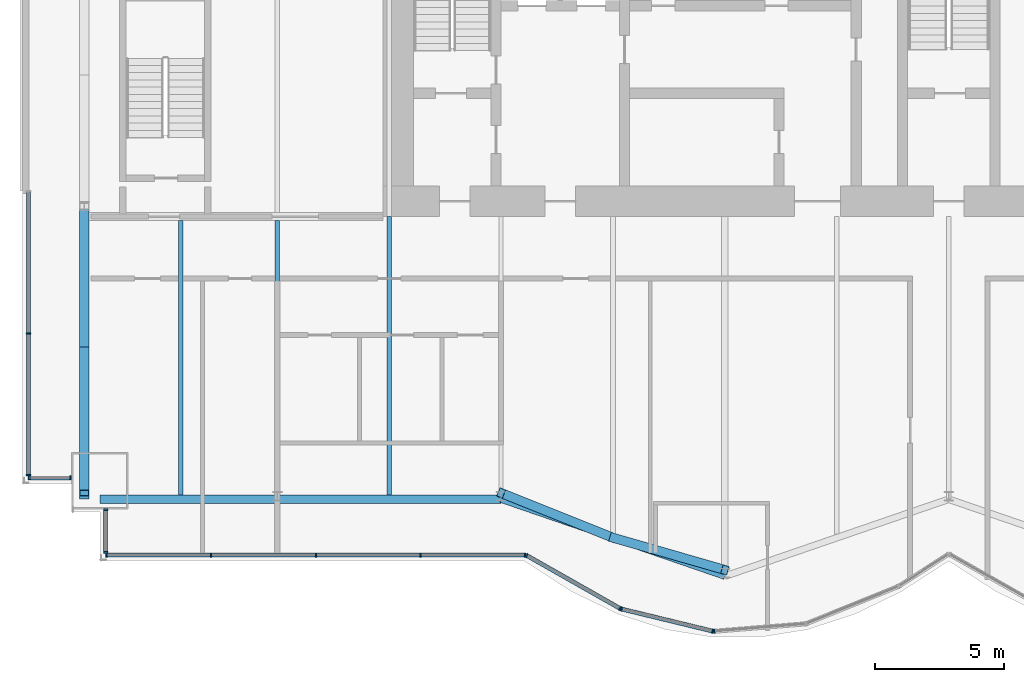
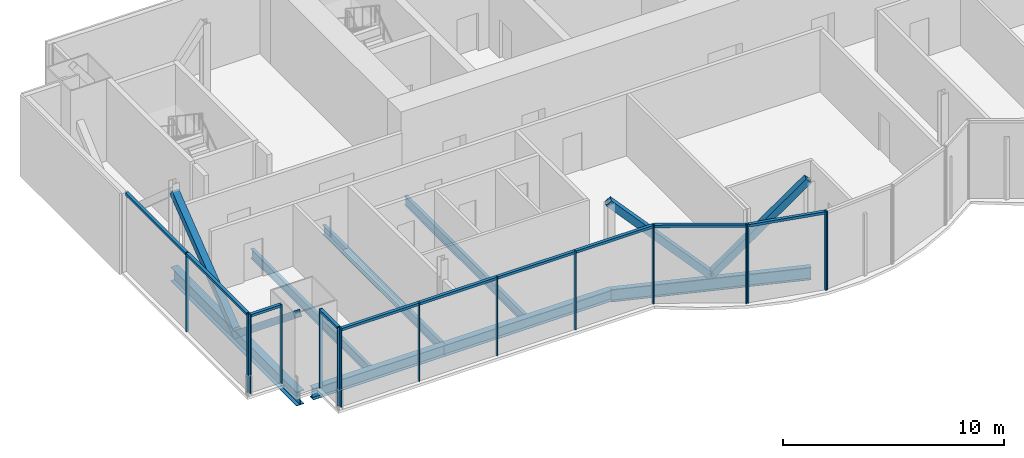
# One storey, part 5 of 18: 30 members, 7 beams, 5 elements without a shape of their own.
"""IFC4 building model written with IfcOpenShell, lengths in metres."""

from ifc_helpers import new_model, si_unit, direction, frame, origin, origin_2d, place, context, subcontext, project, spatial, rectangle, hollow_rectangle, i_section, extrude, material, material_profile, profile_set, type_object, element, aggregate, save


model = new_model("IFC4")

# Units and contexts
model_context = context("Model", 3, precision=1e-05, world=origin(), true_north=direction((0.0, 1.0)))
body_context = subcontext(model_context, "Body", "Model", "MODEL_VIEW")
ifc_project = project(units=[si_unit("LENGTHUNIT", "METRE"), si_unit("AREAUNIT", "SQUARE_METRE"), si_unit("VOLUMEUNIT", "CUBIC_METRE"), si_unit("PLANEANGLEUNIT", "RADIAN"), si_unit("MASSUNIT", "GRAM", prefix="KILO")], contexts=[model_context])

# Site, building, storey
site_placement = place(None, origin())
site = spatial("IfcSite", under=ifc_project, at=site_placement, CompositionType="ELEMENT")
building_placement = place(site_placement, origin())
building = spatial("IfcBuilding", under=site, at=building_placement, Name="Bicima Exchange Tower", CompositionType="ELEMENT")
storey_placement = place(building_placement, frame((0.0, 0.0, 311.0)))
storey = spatial("IfcBuildingStorey", under=building, at=storey_placement, Name="L70", CompositionType="ELEMENT", Elevation=311.0)

# Curtain wall, members
ifc_material_1 = material(Name="Anodised bronze aluminium", Category="aluminium")
curtain_wall_type_1 = type_object("IfcCurtainWallType", Name="End face glass wall", PredefinedType="NOTDEFINED", material=ifc_material_1)
curtain_wall_1_placement = place(storey_placement, origin())
curtain_wall_1 = element("IfcCurtainWall", 1, at=curtain_wall_1_placement, inside=storey, type_object=curtain_wall_type_1, Name="End face glass wall L70 run 2", PredefinedType="NOTDEFINED")
ifc_material_profile_1 = material_profile(ifc_material_1, rectangle(XDim=0.159912109375, YDim=0.06005859375, at=origin_2d()))
ifc_profile_set_1 = profile_set([ifc_material_profile_1], Name="Anodised bronze aluminium")
member_type_1 = type_object("IfcMemberType", Name="End face glass wall mullion 60 x 160", PredefinedType="MULLION", material=ifc_profile_set_1)
member_1_placement = place(storey_placement, frame((-35.77001953125, -17.537109375, 0.0), z_axis=(0.0, 0.0, 1.0), x_axis=(1.0, 0.0, 0.0)))
member_1 = element("IfcMember", 2, at=member_1_placement, type_object=member_type_1, Name="End face glass wall mullion 2", PredefinedType="MULLION", context=body_context, shape_type="SweptSolid", body=[
    extrude(rectangle(XDim=0.159912109375, YDim=0.06005859375, at=origin_2d()), origin(), (0.0, 0.0, 1.0), 4.35009765625),
])
member_2_placement = place(storey_placement, frame((-35.77001953125, -23.0439453125, 0.0), z_axis=(0.0, 0.0, 1.0), x_axis=(1.0, 0.0, 0.0)))
member_2 = element("IfcMember", 3, at=member_2_placement, type_object=member_type_1, Name="End face glass wall mullion 3", PredefinedType="MULLION", context=body_context, shape_type="SweptSolid", body=[
    extrude(rectangle(XDim=0.159912109375, YDim=0.06005859375, at=origin_2d()), origin(), (0.0, 0.0, 1.0), 4.35009765625),
])
ifc_material_profile_2 = material_profile(ifc_material_1, rectangle(XDim=0.159912109375, YDim=0.139892578125, at=origin_2d()))
ifc_profile_set_2 = profile_set([ifc_material_profile_2], Name="Anodised bronze aluminium")
member_type_2 = type_object("IfcMemberType", Name="End face glass wall transom 140 x 160", PredefinedType="USERDEFINED", material=ifc_profile_set_2)
member_3_placement = place(storey_placement, frame((-35.77001953125, -12.06005859375, 4.280029296875), z_axis=(0.0, -1.0, 0.0), x_axis=(1.0, 0.0, 0.0)))
member_3 = element("IfcMember", 4, at=member_3_placement, type_object=member_type_2, Name="End face glass wall transom 1.1", ObjectType="TRANSOM", PredefinedType="USERDEFINED", context=body_context, shape_type="SweptSolid", body=[
    extrude(rectangle(XDim=0.159912109375, YDim=0.139892578125, at=origin_2d()), origin(), (0.0, 0.0, 1.0), 5.447021484375),
])
member_4_placement = place(storey_placement, frame((-35.77001953125, -17.56689453125, 4.280029296875), z_axis=(0.0, -1.0, 0.0), x_axis=(1.0, 0.0, 0.0)))
member_4 = element("IfcMember", 5, at=member_4_placement, type_object=member_type_2, Name="End face glass wall transom 2.1", ObjectType="TRANSOM", PredefinedType="USERDEFINED", context=body_context, shape_type="SweptSolid", body=[
    extrude(rectangle(XDim=0.159912109375, YDim=0.139892578125, at=origin_2d()), origin(), (0.0, 0.0, 1.0), 5.447021484375),
])
aggregate(curtain_wall_1, [member_1, member_2, member_3, member_4])

# Beams
ifc_material_2 = material(Name="Steel ASTM A992 Gr 50", Category="steel")
ifc_material_profile_3 = material_profile(ifc_material_2, i_section(OverallWidth=0.381103515625, OverallDepth=0.772216796875, WebThickness=0.0166015625, FlangeThickness=0.027099609375, at=origin_2d()))
ifc_profile_set_3 = profile_set([ifc_material_profile_3], Name="Steel ASTM A992 Gr 50")
beam_type_1 = type_object("IfcBeamType", Name="End girder W30x173", PredefinedType="BEAM", material=ifc_profile_set_3)
beam_1_placement = place(storey_placement, frame((-33.60009765625, -12.60009765625, -0.5361328125), z_axis=(0.0, -1.0, 0.0), x_axis=(1.0, 0.0, 0.0)))
element("IfcBeam", 6, at=beam_1_placement, inside=storey, type_object=beam_type_1, Name="End girder", PredefinedType="BEAM", context=body_context, shape_type="SweptSolid", body=[
    extrude(i_section(OverallWidth=0.381103515625, OverallDepth=0.772216796875, WebThickness=0.0166015625, FlangeThickness=0.027099609375, at=origin_2d()), origin(), (0.0, 0.0, 1.0), 11.3837890625),
])
ifc_material_profile_4 = material_profile(ifc_material_2, i_section(OverallWidth=0.165771484375, OverallDepth=0.5283203125, WebThickness=0.009765625, FlangeThickness=0.013671875, at=origin_2d()))
ifc_profile_set_4 = profile_set([ifc_material_profile_4], Name="Steel ASTM A992 Gr 50")
beam_type_2 = type_object("IfcBeamType", Name="Floor beam W21x50", PredefinedType="JOIST", material=ifc_profile_set_4)
for number, where, z_axis, x_axis, name in (
    (7, (-29.85009765625, -13.15234375, -0.414306640625), (0.0, -1.0, 0.0), (1.0, 0.0, 0.0), "Floor beam"),
    (8, (-26.10009765625, -13.15234375, -0.414306640625), (0.0, -1.0, 0.0), (1.0, 0.0, 0.0), "Floor beam"),
):
    element("IfcBeam", number, at=place(storey_placement, frame(where, z_axis=z_axis, x_axis=x_axis)), inside=storey, type_object=beam_type_2, Name=name, PredefinedType="JOIST", context=body_context, shape_type="SweptSolid", body=[
        extrude(i_section(OverallWidth=0.165771484375, OverallDepth=0.5283203125, WebThickness=0.009765625, FlangeThickness=0.013671875, at=origin_2d()), origin(), (0.0, 0.0, 1.0), 10.6689453125),
    ])
beam_2_placement = place(storey_placement, frame((-21.75, -13.0, -0.414306640625), z_axis=(0.0, -1.0, 0.0), x_axis=(1.0, 0.0, 0.0)))
element("IfcBeam", 9, at=beam_2_placement, inside=storey, type_object=beam_type_2, Name="Floor beam", PredefinedType="JOIST", context=body_context, shape_type="SweptSolid", body=[
    extrude(i_section(OverallWidth=0.165771484375, OverallDepth=0.5283203125, WebThickness=0.009765625, FlangeThickness=0.013671875, at=origin_2d()), origin(), (0.0, 0.0, 1.0), 10.8212890625),
])
ifc_material_profile_5 = material_profile(ifc_material_2, i_section(OverallWidth=0.3251953125, OverallDepth=0.612060546875, WebThickness=0.0126953125, FlangeThickness=0.01904296875, at=origin_2d()))
ifc_profile_set_5 = profile_set([ifc_material_profile_5], Name="Steel ASTM A992 Gr 50")
beam_type_3 = type_object("IfcBeamType", Name="Front girder W24x104", PredefinedType="BEAM", material=ifc_profile_set_5)
beam_3_placement = place(storey_placement, frame((-33.0, -23.98388671875, -0.4560546875), z_axis=(1.0, 0.0, 0.0), x_axis=(0.0, 1.0, 0.0)))
element("IfcBeam", 10, at=beam_3_placement, inside=storey, type_object=beam_type_3, Name="Front girder", PredefinedType="BEAM", context=body_context, shape_type="SweptSolid", body=[
    extrude(i_section(OverallWidth=0.3251953125, OverallDepth=0.612060546875, WebThickness=0.0126953125, FlangeThickness=0.01904296875, at=origin_2d()), origin(), (0.0, 0.0, 1.0), 6.89990234375),
])
beam_4_placement = place(storey_placement, frame((-26.10009765625, -23.98388671875, -0.4560546875), z_axis=(1.0, 0.0, 0.0), x_axis=(0.0, 1.0, 0.0)))
element("IfcBeam", 11, at=beam_4_placement, inside=storey, type_object=beam_type_3, Name="Front girder", PredefinedType="BEAM", context=body_context, shape_type="SweptSolid", body=[
    extrude(i_section(OverallWidth=0.3251953125, OverallDepth=0.612060546875, WebThickness=0.0126953125, FlangeThickness=0.01904296875, at=origin_2d()), origin(), (0.0, 0.0, 1.0), 8.7001953125),
])
ifc_material_profile_6 = material_profile(ifc_material_2, i_section(OverallWidth=0.256591796875, OverallDepth=0.693359375, WebThickness=0.014404296875, FlangeThickness=0.023681640625, at=origin_2d()))
ifc_profile_set_6 = profile_set([ifc_material_profile_6], Name="Steel ASTM A992 Gr 50")
beam_type_4 = type_object("IfcBeamType", Name="Front girder W27x114", PredefinedType="BEAM", material=ifc_profile_set_6)
beam_5_placement = place(storey_placement, frame((-17.39990234375, -23.98388671875, -0.49658203125), z_axis=(0.945666456746, -0.325138359143, 0.0), x_axis=(0.325138359143, 0.945666456746, 0.0)))
element("IfcBeam", 12, at=beam_5_placement, inside=storey, type_object=beam_type_4, Name="Front girder", PredefinedType="BEAM", context=body_context, shape_type="SweptSolid", body=[
    extrude(i_section(OverallWidth=0.256591796875, OverallDepth=0.693359375, WebThickness=0.014404296875, FlangeThickness=0.023681640625, at=origin_2d()), origin(), (0.0, 0.0, 1.0), 9.19970703125),
])

# Curtain wall, members
curtain_wall_type_2 = type_object("IfcCurtainWallType", Name="Front glass wall", PredefinedType="NOTDEFINED", material=ifc_material_1)
curtain_wall_2_placement = place(storey_placement, origin())
curtain_wall_2 = element("IfcCurtainWall", 13, at=curtain_wall_2_placement, inside=storey, type_object=curtain_wall_type_2, Name="Front glass wall L70 run 3", PredefinedType="NOTDEFINED")
member_type_3 = type_object("IfcMemberType", Name="Front glass wall mullion 60 x 160", PredefinedType="MULLION", material=ifc_profile_set_1)
member_5_placement = place(storey_placement, frame((-35.739990234375, -23.154052734375, 0.0), z_axis=(0.0, 0.0, 1.0), x_axis=(0.0, 1.0, 0.0)))
member_5 = element("IfcMember", 14, at=member_5_placement, type_object=member_type_3, Name="Front glass wall mullion 1", PredefinedType="MULLION", context=body_context, shape_type="SweptSolid", body=[
    extrude(rectangle(XDim=0.159912109375, YDim=0.06005859375, at=origin_2d()), origin(), (0.0, 0.0, 1.0), 4.35009765625),
])
member_6_placement = place(storey_placement, frame((-34.1298828125, -23.154052734375, 0.0), z_axis=(0.0, 0.0, 1.0), x_axis=(0.0, 1.0, 0.0)))
member_6 = element("IfcMember", 15, at=member_6_placement, type_object=member_type_3, Name="Front glass wall mullion 2", PredefinedType="MULLION", context=body_context, shape_type="SweptSolid", body=[
    extrude(rectangle(XDim=0.159912109375, YDim=0.06005859375, at=origin_2d()), origin(), (0.0, 0.0, 1.0), 4.35009765625),
])

curtain_wall_3_placement = place(storey_placement, origin())
curtain_wall_3 = element("IfcCurtainWall", 16, at=curtain_wall_3_placement, inside=storey, type_object=curtain_wall_type_2, Name="Front glass wall L70 run 4", PredefinedType="NOTDEFINED")
member_7_placement = place(storey_placement, frame((-32.77001953125, -24.39208984375, 0.0), z_axis=(0.0, 0.0, 1.0), x_axis=(1.0, 0.0, 0.0)))
member_7 = element("IfcMember", 17, at=member_7_placement, type_object=member_type_3, Name="Front glass wall mullion 1", PredefinedType="MULLION", context=body_context, shape_type="SweptSolid", body=[
    extrude(rectangle(XDim=0.159912109375, YDim=0.06005859375, at=origin_2d()), origin(), (0.0, 0.0, 1.0), 4.35009765625),
])
member_8_placement = place(storey_placement, frame((-32.77001953125, -26.0439453125, 0.0), z_axis=(0.0, 0.0, 1.0), x_axis=(1.0, 0.0, 0.0)))
member_8 = element("IfcMember", 18, at=member_8_placement, type_object=member_type_3, Name="Front glass wall mullion 2", PredefinedType="MULLION", context=body_context, shape_type="SweptSolid", body=[
    extrude(rectangle(XDim=0.159912109375, YDim=0.06005859375, at=origin_2d()), origin(), (0.0, 0.0, 1.0), 4.35009765625),
])

curtain_wall_4_placement = place(storey_placement, origin())
curtain_wall_4 = element("IfcCurtainWall", 19, at=curtain_wall_4_placement, inside=storey, type_object=curtain_wall_type_2, Name="Front glass wall L70 run 5", PredefinedType="NOTDEFINED")
member_9_placement = place(storey_placement, frame((-32.739990234375, -26.154052734375, 0.0), z_axis=(0.0, 0.0, 1.0), x_axis=(0.0, 1.0, 0.0)))
member_9 = element("IfcMember", 20, at=member_9_placement, type_object=member_type_3, Name="Front glass wall mullion 1", PredefinedType="MULLION", context=body_context, shape_type="SweptSolid", body=[
    extrude(rectangle(XDim=0.159912109375, YDim=0.06005859375, at=origin_2d()), origin(), (0.0, 0.0, 1.0), 4.35009765625),
])
member_10_placement = place(storey_placement, frame((-28.67041015625, -26.154052734375, 0.0), z_axis=(0.0, 0.0, 1.0), x_axis=(0.0, 1.0, 0.0)))
member_10 = element("IfcMember", 21, at=member_10_placement, type_object=member_type_3, Name="Front glass wall mullion 2", PredefinedType="MULLION", context=body_context, shape_type="SweptSolid", body=[
    extrude(rectangle(XDim=0.159912109375, YDim=0.06005859375, at=origin_2d()), origin(), (0.0, 0.0, 1.0), 4.35009765625),
])
member_11_placement = place(storey_placement, frame((-24.60107421875, -26.154052734375, 0.0), z_axis=(0.0, 0.0, 1.0), x_axis=(0.0, 1.0, 0.0)))
member_11 = element("IfcMember", 22, at=member_11_placement, type_object=member_type_3, Name="Front glass wall mullion 3", PredefinedType="MULLION", context=body_context, shape_type="SweptSolid", body=[
    extrude(rectangle(XDim=0.159912109375, YDim=0.06005859375, at=origin_2d()), origin(), (0.0, 0.0, 1.0), 4.35009765625),
])
member_12_placement = place(storey_placement, frame((-20.531494140625, -26.154052734375, 0.0), z_axis=(0.0, 0.0, 1.0), x_axis=(0.0, 1.0, 0.0)))
member_12 = element("IfcMember", 23, at=member_12_placement, type_object=member_type_3, Name="Front glass wall mullion 4", PredefinedType="MULLION", context=body_context, shape_type="SweptSolid", body=[
    extrude(rectangle(XDim=0.159912109375, YDim=0.06005859375, at=origin_2d()), origin(), (0.0, 0.0, 1.0), 4.35009765625),
])
member_13_placement = place(storey_placement, frame((-16.462158203125, -26.154052734375, 0.0), z_axis=(0.0, 0.0, 1.0), x_axis=(0.0, 1.0, 0.0)))
member_13 = element("IfcMember", 24, at=member_13_placement, type_object=member_type_3, Name="Front glass wall mullion 5", PredefinedType="MULLION", context=body_context, shape_type="SweptSolid", body=[
    extrude(rectangle(XDim=0.159912109375, YDim=0.06005859375, at=origin_2d()), origin(), (0.0, 0.0, 1.0), 4.35009765625),
])

curtain_wall_5_placement = place(storey_placement, origin())
curtain_wall_5 = element("IfcCurtainWall", 25, at=curtain_wall_5_placement, inside=storey, type_object=curtain_wall_type_2, Name="Front glass wall L70 run 6", PredefinedType="NOTDEFINED")
member_14_placement = place(storey_placement, frame((-16.406005859375, -26.168701171875, 0.0), z_axis=(0.0, 0.0, 1.0), x_axis=(0.493395449343, 0.869805110681, 0.0)))
member_14 = element("IfcMember", 26, at=member_14_placement, type_object=member_type_3, Name="Front glass wall mullion 1", PredefinedType="MULLION", context=body_context, shape_type="SweptSolid", body=[
    extrude(rectangle(XDim=0.159912109375, YDim=0.06005859375, at=origin_2d()), origin(), (0.0, 0.0, 1.0), 4.35009765625),
])
member_15_placement = place(storey_placement, frame((-12.7734375, -28.2294921875, 0.0), z_axis=(0.0, 0.0, 1.0), x_axis=(0.493395449343, 0.869805110681, 0.0)))
member_15 = element("IfcMember", 27, at=member_15_placement, type_object=member_type_3, Name="Front glass wall mullion 2", PredefinedType="MULLION", context=body_context, shape_type="SweptSolid", body=[
    extrude(rectangle(XDim=0.159912109375, YDim=0.06005859375, at=origin_2d()), origin(), (0.0, 0.0, 1.0), 4.35009765625),
])
member_16_placement = place(storey_placement, frame((-12.718017578125, -28.251220703125, 0.0), z_axis=(0.0, 0.0, 1.0), x_axis=(0.235681529503, 0.971830343553, 0.0)))
member_16 = element("IfcMember", 28, at=member_16_placement, type_object=member_type_3, Name="Front glass wall mullion 1", PredefinedType="MULLION", context=body_context, shape_type="SweptSolid", body=[
    extrude(rectangle(XDim=0.159912109375, YDim=0.06005859375, at=origin_2d()), origin(), (0.0, 0.0, 1.0), 4.35009765625),
])
member_17_placement = place(storey_placement, frame((-9.177490234375, -29.10986328125, 0.0), z_axis=(0.0, 0.0, 1.0), x_axis=(0.235681529503, 0.971830343553, 0.0)))
member_17 = element("IfcMember", 29, at=member_17_placement, type_object=member_type_3, Name="Front glass wall mullion 2", PredefinedType="MULLION", context=body_context, shape_type="SweptSolid", body=[
    extrude(rectangle(XDim=0.159912109375, YDim=0.06005859375, at=origin_2d()), origin(), (0.0, 0.0, 1.0), 4.35009765625),
])
member_18_placement = place(storey_placement, frame((-9.118408203125, -29.114501953125, 0.0), z_axis=(0.0, 0.0, 1.0), x_axis=(-0.080588612633, 0.99674744821, 0.0)))
member_18 = element("IfcMember", 30, at=member_18_placement, type_object=member_type_3, Name="Front glass wall mullion 1", PredefinedType="MULLION", context=body_context, shape_type="SweptSolid", body=[
    extrude(rectangle(XDim=0.159912109375, YDim=0.06005859375, at=origin_2d()), origin(), (0.0, 0.0, 1.0), 4.35009765625),
])

# Member
member_type_4 = type_object("IfcMemberType", Name="Front glass wall transom 140 x 160", PredefinedType="USERDEFINED", material=ifc_profile_set_2)
member_19_placement = place(storey_placement, frame((-35.7099609375, -23.154052734375, 4.280029296875), z_axis=(1.0, 0.0, 0.0), x_axis=(0.0, 1.0, 0.0)))
member_19 = element("IfcMember", 31, at=member_19_placement, type_object=member_type_4, Name="Front glass wall transom 1.1", ObjectType="TRANSOM", PredefinedType="USERDEFINED", context=body_context, shape_type="SweptSolid", body=[
    extrude(rectangle(XDim=0.159912109375, YDim=0.139892578125, at=origin_2d()), origin(), (0.0, 0.0, 1.0), 1.550048828125),
])

aggregate(curtain_wall_2, [member_5, member_6, member_19])

member_20_placement = place(storey_placement, frame((-32.77001953125, -24.422119140625, 4.280029296875), z_axis=(0.0, -1.0, 0.0), x_axis=(1.0, 0.0, 0.0)))
member_20 = element("IfcMember", 32, at=member_20_placement, type_object=member_type_4, Name="Front glass wall transom 1.1", ObjectType="TRANSOM", PredefinedType="USERDEFINED", context=body_context, shape_type="SweptSolid", body=[
    extrude(rectangle(XDim=0.159912109375, YDim=0.139892578125, at=origin_2d()), origin(), (0.0, 0.0, 1.0), 1.591796875),
])

aggregate(curtain_wall_3, [member_7, member_8, member_20])

member_21_placement = place(storey_placement, frame((-32.7099609375, -26.154052734375, 4.280029296875), z_axis=(1.0, 0.0, 0.0), x_axis=(0.0, 1.0, 0.0)))
member_21 = element("IfcMember", 33, at=member_21_placement, type_object=member_type_4, Name="Front glass wall transom 1.1", ObjectType="TRANSOM", PredefinedType="USERDEFINED", context=body_context, shape_type="SweptSolid", body=[
    extrude(rectangle(XDim=0.159912109375, YDim=0.139892578125, at=origin_2d()), origin(), (0.0, 0.0, 1.0), 4.009521484375),
])

member_22_placement = place(storey_placement, frame((-28.640380859375, -26.154052734375, 4.280029296875), z_axis=(1.0, 0.0, 0.0), x_axis=(0.0, 1.0, 0.0)))
member_22 = element("IfcMember", 34, at=member_22_placement, type_object=member_type_4, Name="Front glass wall transom 2.1", ObjectType="TRANSOM", PredefinedType="USERDEFINED", context=body_context, shape_type="SweptSolid", body=[
    extrude(rectangle(XDim=0.159912109375, YDim=0.139892578125, at=origin_2d()), origin(), (0.0, 0.0, 1.0), 4.00927734375),
])

member_23_placement = place(storey_placement, frame((-24.571044921875, -26.154052734375, 4.280029296875), z_axis=(1.0, 0.0, 0.0), x_axis=(0.0, 1.0, 0.0)))
member_23 = element("IfcMember", 35, at=member_23_placement, type_object=member_type_4, Name="Front glass wall transom 3.1", ObjectType="TRANSOM", PredefinedType="USERDEFINED", context=body_context, shape_type="SweptSolid", body=[
    extrude(rectangle(XDim=0.159912109375, YDim=0.139892578125, at=origin_2d()), origin(), (0.0, 0.0, 1.0), 4.009521484375),
])

member_24_placement = place(storey_placement, frame((-20.501708984375, -26.154052734375, 4.280029296875), z_axis=(1.0, 0.0, 0.0), x_axis=(0.0, 1.0, 0.0)))
member_24 = element("IfcMember", 36, at=member_24_placement, type_object=member_type_4, Name="Front glass wall transom 4.1", ObjectType="TRANSOM", PredefinedType="USERDEFINED", context=body_context, shape_type="SweptSolid", body=[
    extrude(rectangle(XDim=0.159912109375, YDim=0.139892578125, at=origin_2d()), origin(), (0.0, 0.0, 1.0), 4.009521484375),
])

aggregate(curtain_wall_4, [member_9, member_10, member_11, member_12, member_13, member_21, member_22, member_23, member_24])

member_25_placement = place(storey_placement, frame((-16.3798828125, -26.18359375, 4.280029296875), z_axis=(0.869797371721, -0.49340909208, 0.0), x_axis=(0.49340909208, 0.869797371721, 0.0)))
member_25 = element("IfcMember", 37, at=member_25_placement, type_object=member_type_4, Name="Front glass wall transom 1.1", ObjectType="TRANSOM", PredefinedType="USERDEFINED", context=body_context, shape_type="SweptSolid", body=[
    extrude(rectangle(XDim=0.159912109375, YDim=0.139892578125, at=origin_2d()), origin(), (0.0, 0.0, 1.0), 4.1162109375),
])

member_26_placement = place(storey_placement, frame((-12.68896484375, -28.25830078125, 4.280029296875), z_axis=(0.971833557815, -0.235668275132, 0.0), x_axis=(0.235668275132, 0.971833557815, 0.0)))
member_26 = element("IfcMember", 38, at=member_26_placement, type_object=member_type_4, Name="Front glass wall transom 1.1", ObjectType="TRANSOM", PredefinedType="USERDEFINED", context=body_context, shape_type="SweptSolid", body=[
    extrude(rectangle(XDim=0.159912109375, YDim=0.139892578125, at=origin_2d()), origin(), (0.0, 0.0, 1.0), 3.583251953125),
])

aggregate(curtain_wall_5, [member_14, member_15, member_25, member_16, member_17, member_26, member_18])

# Members
ifc_material_3 = material(Name="Steel ASTM A572 Gr 50", Category="steel")
ifc_material_profile_7 = material_profile(ifc_material_3, hollow_rectangle(XDim=0.355712890625, YDim=0.355712890625, WallThickness=0.01171875, at=origin_2d()))
ifc_profile_set_7 = profile_set([ifc_material_profile_7], Name="Steel ASTM A572 Gr 50")
member_type_5 = type_object("IfcMemberType", Name="Mega brace HSS14x14x1/2", PredefinedType="BRACE", material=ifc_profile_set_7)
member_27_placement = place(storey_placement, frame((-13.050048828125, -25.4794921875, 0.0), z_axis=(0.681534473108, -0.196106591291, 0.705019834343), x_axis=(0.276522876258, 0.961007335511, 0.0)))
element("IfcMember", 39, at=member_27_placement, inside=storey, type_object=member_type_5, Name="Mega brace front", PredefinedType="BRACE", context=body_context, shape_type="SweptSolid", body=[
    extrude(hollow_rectangle(XDim=0.355712890625, YDim=0.355712890625, WallThickness=0.01171875, at=origin_2d()), origin(), (0.0, 0.0, 1.0), 6.3828125),
])
member_28_placement = place(storey_placement, frame((-13.050048828125, -25.4794921875, 0.0), z_axis=(-0.669627633412, 0.267783402821, 0.692741569234), x_axis=(-0.371309808925, -0.928509033772, 0.0)))
element("IfcMember", 40, at=member_28_placement, inside=storey, type_object=member_type_5, Name="Mega brace front", PredefinedType="BRACE", context=body_context, shape_type="SweptSolid", body=[
    extrude(hollow_rectangle(XDim=0.355712890625, YDim=0.355712890625, WallThickness=0.01171875, at=origin_2d()), origin(), (0.0, 0.0, 1.0), 6.495849609375),
])
member_29_placement = place(storey_placement, frame((-33.60009765625, -18.169921875, -0.5361328125), z_axis=(0.0, -0.777866178956, 0.628429954439), x_axis=(1.0, 0.0, 0.0)))
element("IfcMember", 41, at=member_29_placement, inside=storey, type_object=member_type_5, Name="Mega brace west end", PredefinedType="BRACE", context=body_context, shape_type="SweptSolid", body=[
    extrude(hollow_rectangle(XDim=0.355712890625, YDim=0.355712890625, WallThickness=0.01171875, at=origin_2d()), origin(), (0.0, 0.0, 1.0), 7.16064453125),
])
member_30_placement = place(storey_placement, frame((-33.60009765625, -18.4140625, -0.5361328125), z_axis=(0.0, 0.790798369519, 0.612076742546), x_axis=(-1.0, 0.0, 0.0)))
element("IfcMember", 42, at=member_30_placement, inside=storey, type_object=member_type_5, Name="Mega brace west end", PredefinedType="BRACE", context=body_context, shape_type="SweptSolid", body=[
    extrude(hollow_rectangle(XDim=0.355712890625, YDim=0.355712890625, WallThickness=0.01171875, at=origin_2d()), origin(), (0.0, 0.0, 1.0), 7.35205078125),
])

save(model, "model.ifc")
